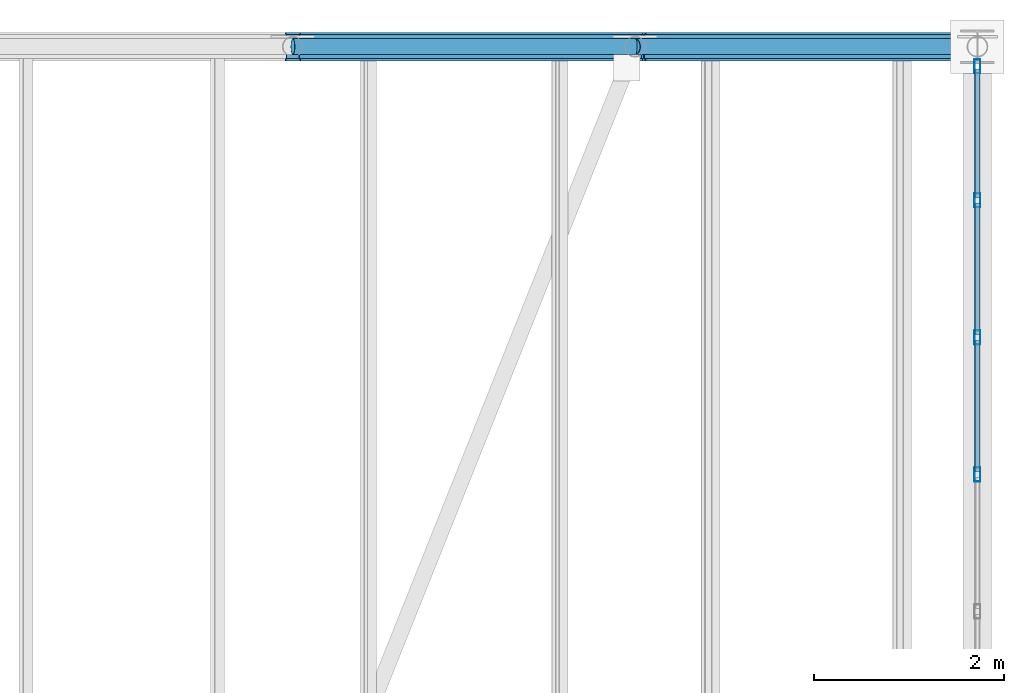
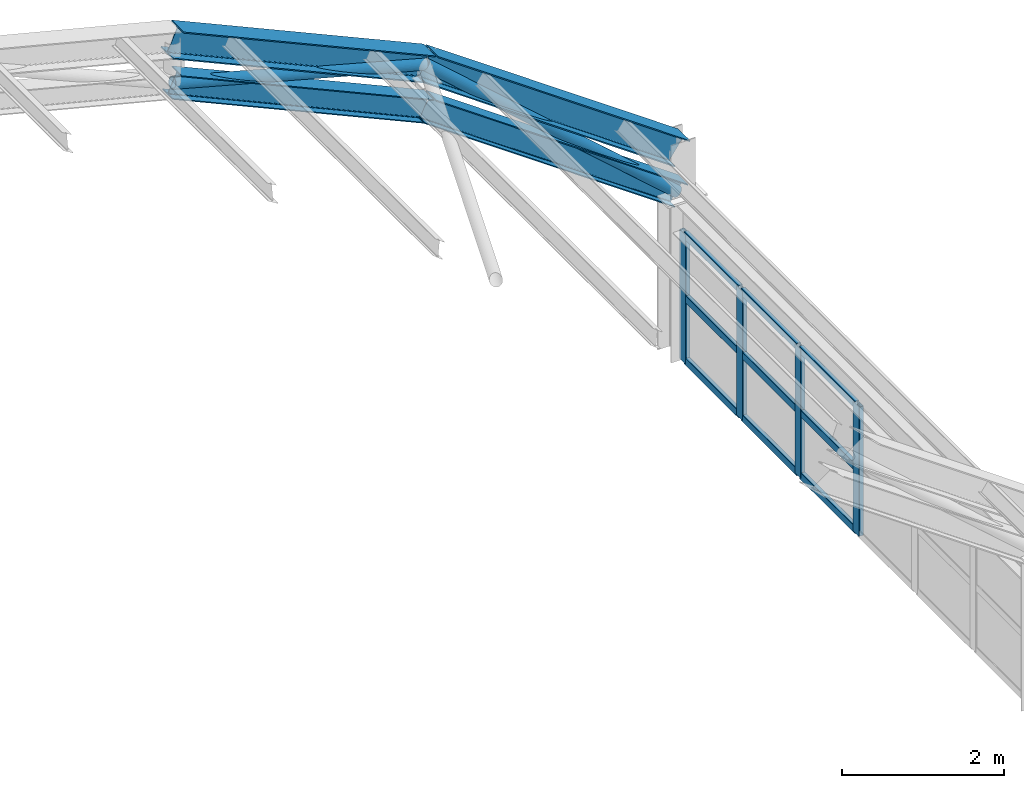
# One storey, part 83 of 121: 17 members, 2 beams, 1 element without a shape of its own.
"""IFC4 building model written with IfcOpenShell, lengths in metres."""

import ifcopenshell
import ifcopenshell.guid

model = None  # the IFC model being written
_history = None  # IfcOwnerHistory: only IFC2X3 demands one
_inside = {}  # id of a spatial element -> (the spatial element, [elements in it])
_under = {}  # id of a project, library or spatial element -> (it, [spatial elements below it])
_declared = {}  # id of a project -> (the project, [libraries it declares])
_typed = {}  # id of a type object -> (the type object, [elements of that type])
_made_of = {}  # id of a material, layer set ... -> (it, [elements and type objects made of it])


def new_model(schema):
    """Start an empty IFC model of exactly this schema.

    Asked for "IFC4X3", IfcOpenShell would pick the latest addendum, in which some entities
    have other attributes; the version numbers below select the first issue.
    IFC2X3 requires an IfcOwnerHistory on every rooted entity: one is made here for all.
    """
    global model, _history
    if schema == "IFC4X3":
        model = ifcopenshell.file(schema_version=(4, 3, 0, 0))
    else:
        model = ifcopenshell.file(schema=schema)
    _inside.clear()
    _under.clear()
    _declared.clear()
    _typed.clear()
    _made_of.clear()
    _history = None
    if model.schema == "IFC2X3":
        org = make("IfcOrganization", Name="unknown")
        user = make(
            "IfcPersonAndOrganization",
            ThePerson=make("IfcPerson", FamilyName="unknown"),
            TheOrganization=org,
        )
        app = make(
            "IfcApplication",
            ApplicationDeveloper=org,
            Version="unknown",
            ApplicationFullName="unknown",
            ApplicationIdentifier="unknown",
        )
        _history = make(
            "IfcOwnerHistory",
            OwningUser=user,
            OwningApplication=app,
            ChangeAction="ADDED",
            CreationDate=0,
        )
    return model


def make(cls, **values):
    """One entity of the class cls with the attributes given. An attribute that is None is left unset."""
    return model.create_entity(
        cls, **{name: value for name, value in values.items() if value is not None}
    )


def rooted(cls, **values):
    """An entity with a GlobalId (a new one), such as an element, a storey or a relation."""
    return make(cls, GlobalId=ifcopenshell.guid.new(), OwnerHistory=_history, **values)


def si_unit(unit_type, name, prefix=None):
    """IfcSIUnit, for example si_unit("LENGTHUNIT", "METRE", prefix="MILLI")."""
    return make("IfcSIUnit", UnitType=unit_type, Prefix=prefix, Name=name)


def assignment(units):
    """IfcUnitAssignment: the units of a project."""
    return None if units is None else make("IfcUnitAssignment", Units=units)


def point(xyz):
    """IfcCartesianPoint."""
    return None if xyz is None else make("IfcCartesianPoint", Coordinates=xyz)


def direction(xyz):
    """IfcDirection."""
    return None if xyz is None else make("IfcDirection", DirectionRatios=xyz)


def frame(location, z_axis=None, x_axis=None):
    """IfcAxis2Placement3D, a coordinate frame: its origin and axes. An axis left out is left unset."""
    return make(
        "IfcAxis2Placement3D",
        Location=point(location),
        Axis=direction(z_axis),
        RefDirection=direction(x_axis),
    )


def frame_2d(location, x_axis=None):
    """IfcAxis2Placement2D, a coordinate frame in the plane: its origin and x axis."""
    return make(
        "IfcAxis2Placement2D", Location=point(location), RefDirection=direction(x_axis)
    )


def origin():
    """The frame at (0, 0, 0) with its axes left unset."""
    return frame((0.0, 0.0, 0.0))


def origin_2d():
    """The frame at (0, 0) in the plane with its x axis left unset."""
    return frame_2d((0.0, 0.0))


def place(relative_to, where):
    """IfcLocalPlacement: puts the frame where relative to a parent placement (None: the world)."""
    return make(
        "IfcLocalPlacement", PlacementRelTo=relative_to, RelativePlacement=where
    )


def context(
    kind, dimensions, precision=None, world=None, true_north=None, identifier=None
):
    """IfcGeometricRepresentationContext, for example the 3D "Model" context."""
    return make(
        "IfcGeometricRepresentationContext",
        ContextIdentifier=identifier,
        ContextType=kind,
        CoordinateSpaceDimension=dimensions,
        Precision=precision,
        WorldCoordinateSystem=world,
        TrueNorth=true_north,
    )


def subcontext(parent, identifier, kind, view, scale=None):
    """IfcGeometricRepresentationSubContext, for example "Body" below "Model"."""
    return make(
        "IfcGeometricRepresentationSubContext",
        ContextIdentifier=identifier,
        ContextType=kind,
        ParentContext=parent,
        TargetScale=scale,
        TargetView=view,
    )


def project(units=None, contexts=None):
    """IfcProject with its units and contexts."""
    return rooted(
        "IfcProject",
        Name="project",
        RepresentationContexts=contexts,
        UnitsInContext=assignment(units),
    )


def spatial(cls, under=None, at=None, **own):
    """A site, building, storey or space (cls), placed at a placement, below another one or the project."""
    s = rooted(cls, ObjectPlacement=at, **own)
    if under is not None:
        _under.setdefault(under.id(), (under, []))[1].append(s)
    return s


def profile(cls, at=None, kind="AREA", **sizes):
    """A parametric profile (cls). Its sizes go by their IFC names, for example OverallWidth=200.0."""
    return make(cls, ProfileType=kind, Position=at, **sizes)


def hollow_rectangle(**sizes):
    """IfcRectangleHollowProfileDef."""
    return profile("IfcRectangleHollowProfileDef", **sizes)


def hollow_circle(**sizes):
    """IfcCircleHollowProfileDef."""
    return profile("IfcCircleHollowProfileDef", **sizes)


def i_section(**sizes):
    """IfcIShapeProfileDef."""
    return profile("IfcIShapeProfileDef", **sizes)


def extrude(swept, where, along, depth):
    """IfcExtrudedAreaSolid: the profile swept, set in the frame where, extruded along a direction by depth."""
    return make(
        "IfcExtrudedAreaSolid",
        SweptArea=swept,
        Position=where,
        ExtrudedDirection=direction(along),
        Depth=depth,
    )


def shape(context_of_items, identifier, shape_type, items):
    """IfcShapeRepresentation: the items that make up one representation, for example the "Body"."""
    return make(
        "IfcShapeRepresentation",
        ContextOfItems=context_of_items,
        RepresentationIdentifier=identifier,
        RepresentationType=shape_type,
        Items=items,
    )


def material(Name=None, Category=None):
    """IfcMaterial."""
    return make("IfcMaterial", Name=Name, Category=Category)


def material_profile(
    of_material, cross_section, Name=None, Category=None, Priority=None
):
    """IfcMaterialProfile: a cross section and its material."""
    return make(
        "IfcMaterialProfile",
        Name=Name,
        Material=of_material,
        Profile=cross_section,
        Priority=Priority,
        Category=Category,
    )


def profile_set(profiles, Name=None, composite=None):
    """IfcMaterialProfileSet."""
    return make(
        "IfcMaterialProfileSet",
        Name=Name,
        MaterialProfiles=profiles,
        CompositeProfile=composite,
    )


def made_of(thing, what):
    """Note that an element or type object is made of a material, layer set ...; save() writes the relation."""
    if what is not None:
        _made_of.setdefault(what.id(), (what, []))[1].append(thing)
    return thing


def type_object(cls, material=None, **own):
    """A type object (cls), such as IfcWallType, which elements share."""
    return made_of(rooted(cls, **own), material)


def element(
    cls,
    number,
    at=None,
    inside=None,
    cuts=None,
    type_object=None,
    material=None,
    context=None,
    identifier="Body",
    shape_type=None,
    held_by="IfcProductDefinitionShape",
    body=None,
    shapes=None,
    **own,
):
    """One element of the class cls, such as IfcWall. Its Tag is "e" and its number.

    at: its placement. inside: the storey or other place that contains it. cuts: it is an
    opening in that element (IfcRelVoidsElement). A single representation is given by context,
    identifier, shape_type and body (its items); several are given by shapes. held_by: the class
    of the entity that holds the representations. save() writes the other relations.
    """
    e = rooted(cls, Tag="e%d" % number, ObjectPlacement=at, **own)
    if body is not None:
        shapes = [shape(context, identifier, shape_type, body)]
    if shapes is not None:
        e.Representation = make(held_by, Representations=shapes)
    if inside is not None:
        _inside.setdefault(inside.id(), (inside, []))[1].append(e)
    if cuts is not None:
        rooted(
            "IfcRelVoidsElement", RelatingBuildingElement=cuts, RelatedOpeningElement=e
        )
    if type_object is not None:
        _typed.setdefault(type_object.id(), (type_object, []))[1].append(e)
    return made_of(e, material)


def aggregate(whole, parts):
    """IfcRelAggregates: a whole, such as a stair, and the parts it consists of."""
    return rooted("IfcRelAggregates", RelatingObject=whole, RelatedObjects=parts)


def save(model, path):
    """Write the relations noted so far, then the file.

    IfcRelAggregates (storeys below a building ...), IfcRelContainedInSpatialStructure (elements
    in a storey), IfcRelDefinesByType, IfcRelAssociatesMaterial and IfcRelDeclares: one each for
    every whole, place, type object, material and project.
    """
    for whole, parts in _under.values():
        aggregate(whole, parts)
    for where, things in _inside.values():
        rooted(
            "IfcRelContainedInSpatialStructure",
            RelatedElements=things,
            RelatingStructure=where,
        )
    for kind, things in _typed.values():
        rooted("IfcRelDefinesByType", RelatedObjects=things, RelatingType=kind)
    for what, things in _made_of.values():
        rooted("IfcRelAssociatesMaterial", RelatedObjects=things, RelatingMaterial=what)
    for by, libraries in _declared.values():
        rooted("IfcRelDeclares", RelatingContext=by, RelatedDefinitions=libraries)
    model.write(path)


model = new_model("IFC4")

# Units and contexts
model_context = context("Model", 3, precision=1e-05, world=origin(), true_north=direction((0.0, 1.0)))
body_context = subcontext(model_context, "Body", "Model", "MODEL_VIEW")
ifc_project = project(units=[si_unit("LENGTHUNIT", "METRE"), si_unit("AREAUNIT", "SQUARE_METRE"), si_unit("VOLUMEUNIT", "CUBIC_METRE"), si_unit("PLANEANGLEUNIT", "RADIAN"), si_unit("MASSUNIT", "GRAM", prefix="KILO")], contexts=[model_context])

# Site, building, storey
site_placement = place(None, origin())
site = spatial("IfcSite", under=ifc_project, at=site_placement, CompositionType="ELEMENT")
building_placement = place(site_placement, origin())
building = spatial("IfcBuilding", under=site, at=building_placement, Name="Canglan Escarpment Cableway Terminal", CompositionType="ELEMENT")
storey_placement = place(building_placement, frame((0.0, 0.0, 24.60009765625)))
storey = spatial("IfcBuildingStorey", under=building, at=storey_placement, Name="L05", CompositionType="ELEMENT", Elevation=24.60009765625)

# Beams
ifc_material_1 = material(Name="Steel Q355B", Category="steel")
ifc_material_profile_1 = material_profile(ifc_material_1, i_section(OverallWidth=0.300048828125, OverallDepth=0.389892578125, WebThickness=0.010009765625, FlangeThickness=0.01611328125, FilletRadius=0.02197265625, at=origin_2d()), Name="HM 390x300x10x16")
ifc_profile_set_1 = profile_set([ifc_material_profile_1], Name="Steel Q355B")
beam_type = type_object("IfcBeamType", Name="BM-ARCH-TOP-HM390", PredefinedType="BEAM", material=ifc_profile_set_1)
beam_1_placement = place(storey_placement, frame((159.199951171875, 124.0, 7.23828125), z_axis=(0.911752518833, 0.0, -0.410739996108), x_axis=(0.0, 1.0, 0.0)))
element("IfcBeam", 1, at=beam_1_placement, inside=storey, type_object=beam_type, Name="Vault ROOF TRUSS arch top chord AR-TC1", PredefinedType="BEAM", context=body_context, shape_type="SweptSolid", body=[
    extrude(i_section(OverallWidth=0.300048828125, OverallDepth=0.389892578125, WebThickness=0.010009765625, FlangeThickness=0.01611328125, FilletRadius=0.02197265625, at=origin_2d()), origin(), (0.0, 0.0, 1.0), 3.948486328125),
])
beam_2_placement = place(storey_placement, frame((162.800048828125, 124.0, 5.616455078125), z_axis=(0.817731009495, 0.0, -0.575600552563), x_axis=(0.0, 1.0, 0.0)))
element("IfcBeam", 2, at=beam_2_placement, inside=storey, type_object=beam_type, Name="Vault ROOF TRUSS arch top chord AR-TC1", PredefinedType="BEAM", context=body_context, shape_type="SweptSolid", body=[
    extrude(i_section(OverallWidth=0.300048828125, OverallDepth=0.389892578125, WebThickness=0.010009765625, FlangeThickness=0.01611328125, FilletRadius=0.02197265625, at=origin_2d()), origin(), (0.0, 0.0, 1.0), 4.40234375),
])

# Curtain wall, members
ifc_material_2 = material(Name="Anodized bronze aluminium and Low-E double glazing", Category="aluminium")
curtain_wall_type = type_object("IfcCurtainWallType", Name="CW-BAY-8650x1950", PredefinedType="NOTDEFINED", material=ifc_material_2)
curtain_wall_placement = place(storey_placement, origin())
curtain_wall = element("IfcCurtainWall", 3, at=curtain_wall_placement, inside=storey, type_object=curtain_wall_type, Name="Classical bay-between-piers glazed curtain wall CW-66", PredefinedType="NOTDEFINED")
ifc_material_3 = material(Name="Thermally broken anodized aluminium 6063-T6", Category="aluminium")
ifc_material_profile_2 = material_profile(ifc_material_3, hollow_rectangle(XDim=0.06494140625, YDim=0.14990234375, WallThickness=0.00341796875, InnerFilletRadius=0.00341796875, OuterFilletRadius=0.007080078125, at=origin_2d()), Name="ALU-MULL 65x150x3.5")
ifc_profile_set_2 = profile_set([ifc_material_profile_2], Name="Thermally broken anodized aluminium 6063-T6")
member_type_1 = type_object("IfcMemberType", Name="CWM-02", PredefinedType="MULLION", material=ifc_profile_set_2)
member_1_placement = place(storey_placement, frame((166.39990234375, 119.5, 0.0), z_axis=(0.0, 0.0, 1.0), x_axis=(-1.0, 0.0, 0.0)))
member_1 = element("IfcMember", 4, at=member_1_placement, type_object=member_type_1, Name="CW-66 mullion 4", PredefinedType="MULLION", context=body_context, shape_type="SweptSolid", body=[
    extrude(hollow_rectangle(XDim=0.06494140625, YDim=0.14990234375, WallThickness=0.00341796875, InnerFilletRadius=0.00341796875, OuterFilletRadius=0.007080078125, at=origin_2d()), origin(), (0.0, 0.0, 1.0), 1.949951171875),
])
member_2_placement = place(storey_placement, frame((166.39990234375, 120.941650390625, 0.0), z_axis=(0.0, 0.0, 1.0), x_axis=(-1.0, 0.0, 0.0)))
member_2 = element("IfcMember", 5, at=member_2_placement, type_object=member_type_1, Name="CW-66 mullion 5", PredefinedType="MULLION", context=body_context, shape_type="SweptSolid", body=[
    extrude(hollow_rectangle(XDim=0.06494140625, YDim=0.14990234375, WallThickness=0.00341796875, InnerFilletRadius=0.00341796875, OuterFilletRadius=0.007080078125, at=origin_2d()), origin(), (0.0, 0.0, 1.0), 1.949951171875),
])
member_3_placement = place(storey_placement, frame((166.39990234375, 122.38330078125, 0.0), z_axis=(0.0, 0.0, 1.0), x_axis=(-1.0, 0.0, 0.0)))
member_3 = element("IfcMember", 6, at=member_3_placement, type_object=member_type_1, Name="CW-66 mullion 6", PredefinedType="MULLION", context=body_context, shape_type="SweptSolid", body=[
    extrude(hollow_rectangle(XDim=0.06494140625, YDim=0.14990234375, WallThickness=0.00341796875, InnerFilletRadius=0.00341796875, OuterFilletRadius=0.007080078125, at=origin_2d()), origin(), (0.0, 0.0, 1.0), 1.949951171875),
])
member_4_placement = place(storey_placement, frame((166.39990234375, 123.79248046875, 0.0), z_axis=(0.0, 0.0, 1.0), x_axis=(-1.0, 0.0, 0.0)))
member_4 = element("IfcMember", 7, at=member_4_placement, type_object=member_type_1, Name="CW-66 mullion 7", PredefinedType="MULLION", context=body_context, shape_type="SweptSolid", body=[
    extrude(hollow_rectangle(XDim=0.06494140625, YDim=0.14990234375, WallThickness=0.00341796875, InnerFilletRadius=0.00341796875, OuterFilletRadius=0.007080078125, at=origin_2d()), origin(), (0.0, 0.0, 1.0), 1.949951171875),
])
ifc_material_profile_3 = material_profile(ifc_material_3, hollow_rectangle(XDim=0.06005859375, YDim=0.110107421875, WallThickness=0.0029296875, InnerFilletRadius=0.0029296875, OuterFilletRadius=0.006103515625, at=origin_2d()), Name="ALU-TRAN 60x110x3")
ifc_profile_set_3 = profile_set([ifc_material_profile_3], Name="Thermally broken anodized aluminium 6063-T6")
member_type_2 = type_object("IfcMemberType", Name="CWT-02", PredefinedType="USERDEFINED", material=ifc_profile_set_3)
member_5_placement = place(storey_placement, frame((166.39990234375, 119.532470703125, 0.02978515625), z_axis=(0.0, 1.0, 0.0), x_axis=(-1.0, 0.0, 0.0)))
member_5 = element("IfcMember", 8, at=member_5_placement, type_object=member_type_2, Name="CW-66 transom 4.1", ObjectType="TRANSOM", PredefinedType="USERDEFINED", context=body_context, shape_type="SweptSolid", body=[
    extrude(hollow_rectangle(XDim=0.06005859375, YDim=0.110107421875, WallThickness=0.0029296875, InnerFilletRadius=0.0029296875, OuterFilletRadius=0.006103515625, at=origin_2d()), origin(), (0.0, 0.0, 1.0), 1.376708984375),
])
member_6_placement = place(storey_placement, frame((166.39990234375, 119.532470703125, 0.974853515625), z_axis=(0.0, 1.0, 0.0), x_axis=(-1.0, 0.0, 0.0)))
member_6 = element("IfcMember", 9, at=member_6_placement, type_object=member_type_2, Name="CW-66 transom 4.2", ObjectType="TRANSOM", PredefinedType="USERDEFINED", context=body_context, shape_type="SweptSolid", body=[
    extrude(hollow_rectangle(XDim=0.06005859375, YDim=0.110107421875, WallThickness=0.0029296875, InnerFilletRadius=0.0029296875, OuterFilletRadius=0.006103515625, at=origin_2d()), origin(), (0.0, 0.0, 1.0), 1.376708984375),
])
member_7_placement = place(storey_placement, frame((166.39990234375, 119.532470703125, 1.919921875), z_axis=(0.0, 1.0, 0.0), x_axis=(-1.0, 0.0, 0.0)))
member_7 = element("IfcMember", 10, at=member_7_placement, type_object=member_type_2, Name="CW-66 transom 4.3", ObjectType="TRANSOM", PredefinedType="USERDEFINED", context=body_context, shape_type="SweptSolid", body=[
    extrude(hollow_rectangle(XDim=0.06005859375, YDim=0.110107421875, WallThickness=0.0029296875, InnerFilletRadius=0.0029296875, OuterFilletRadius=0.006103515625, at=origin_2d()), origin(), (0.0, 0.0, 1.0), 1.376708984375),
])
member_8_placement = place(storey_placement, frame((166.39990234375, 120.97412109375, 0.02978515625), z_axis=(0.0, 1.0, 0.0), x_axis=(-1.0, 0.0, 0.0)))
member_8 = element("IfcMember", 11, at=member_8_placement, type_object=member_type_2, Name="CW-66 transom 5.1", ObjectType="TRANSOM", PredefinedType="USERDEFINED", context=body_context, shape_type="SweptSolid", body=[
    extrude(hollow_rectangle(XDim=0.06005859375, YDim=0.110107421875, WallThickness=0.0029296875, InnerFilletRadius=0.0029296875, OuterFilletRadius=0.006103515625, at=origin_2d()), origin(), (0.0, 0.0, 1.0), 1.376708984375),
])
member_9_placement = place(storey_placement, frame((166.39990234375, 120.97412109375, 0.974853515625), z_axis=(0.0, 1.0, 0.0), x_axis=(-1.0, 0.0, 0.0)))
member_9 = element("IfcMember", 12, at=member_9_placement, type_object=member_type_2, Name="CW-66 transom 5.2", ObjectType="TRANSOM", PredefinedType="USERDEFINED", context=body_context, shape_type="SweptSolid", body=[
    extrude(hollow_rectangle(XDim=0.06005859375, YDim=0.110107421875, WallThickness=0.0029296875, InnerFilletRadius=0.0029296875, OuterFilletRadius=0.006103515625, at=origin_2d()), origin(), (0.0, 0.0, 1.0), 1.376708984375),
])
member_10_placement = place(storey_placement, frame((166.39990234375, 120.97412109375, 1.919921875), z_axis=(0.0, 1.0, 0.0), x_axis=(-1.0, 0.0, 0.0)))
member_10 = element("IfcMember", 13, at=member_10_placement, type_object=member_type_2, Name="CW-66 transom 5.3", ObjectType="TRANSOM", PredefinedType="USERDEFINED", context=body_context, shape_type="SweptSolid", body=[
    extrude(hollow_rectangle(XDim=0.06005859375, YDim=0.110107421875, WallThickness=0.0029296875, InnerFilletRadius=0.0029296875, OuterFilletRadius=0.006103515625, at=origin_2d()), origin(), (0.0, 0.0, 1.0), 1.376708984375),
])
member_11_placement = place(storey_placement, frame((166.39990234375, 122.415771484375, 0.02978515625), z_axis=(0.0, 1.0, 0.0), x_axis=(-1.0, 0.0, 0.0)))
member_11 = element("IfcMember", 14, at=member_11_placement, type_object=member_type_2, Name="CW-66 transom 6.1", ObjectType="TRANSOM", PredefinedType="USERDEFINED", context=body_context, shape_type="SweptSolid", body=[
    extrude(hollow_rectangle(XDim=0.06005859375, YDim=0.110107421875, WallThickness=0.0029296875, InnerFilletRadius=0.0029296875, OuterFilletRadius=0.006103515625, at=origin_2d()), origin(), (0.0, 0.0, 1.0), 1.34423828125),
])
member_12_placement = place(storey_placement, frame((166.39990234375, 122.415771484375, 0.974853515625), z_axis=(0.0, 1.0, 0.0), x_axis=(-1.0, 0.0, 0.0)))
member_12 = element("IfcMember", 15, at=member_12_placement, type_object=member_type_2, Name="CW-66 transom 6.2", ObjectType="TRANSOM", PredefinedType="USERDEFINED", context=body_context, shape_type="SweptSolid", body=[
    extrude(hollow_rectangle(XDim=0.06005859375, YDim=0.110107421875, WallThickness=0.0029296875, InnerFilletRadius=0.0029296875, OuterFilletRadius=0.006103515625, at=origin_2d()), origin(), (0.0, 0.0, 1.0), 1.34423828125),
])
member_13_placement = place(storey_placement, frame((166.39990234375, 122.415771484375, 1.919921875), z_axis=(0.0, 1.0, 0.0), x_axis=(-1.0, 0.0, 0.0)))
member_13 = element("IfcMember", 16, at=member_13_placement, type_object=member_type_2, Name="CW-66 transom 6.3", ObjectType="TRANSOM", PredefinedType="USERDEFINED", context=body_context, shape_type="SweptSolid", body=[
    extrude(hollow_rectangle(XDim=0.06005859375, YDim=0.110107421875, WallThickness=0.0029296875, InnerFilletRadius=0.0029296875, OuterFilletRadius=0.006103515625, at=origin_2d()), origin(), (0.0, 0.0, 1.0), 1.34423828125),
])
aggregate(curtain_wall, [member_1, member_2, member_3, member_4, member_5, member_6, member_7, member_8, member_9, member_10, member_11, member_12, member_13])

# Members
ifc_material_profile_4 = material_profile(ifc_material_1, i_section(OverallWidth=0.25, OverallDepth=0.340087890625, WebThickness=0.009033203125, FlangeThickness=0.013916015625, FilletRadius=0.02001953125, at=origin_2d()), Name="HM 340x250x9x14")
ifc_profile_set_4 = profile_set([ifc_material_profile_4], Name="Steel Q355B")
member_type_3 = type_object("IfcMemberType", Name="MB-ARCH-BOT-HM340", PredefinedType="CHORD", material=ifc_profile_set_4)
member_14_placement = place(storey_placement, frame((159.199951171875, 124.0, 6.58837890625), z_axis=(0.911752518833, 0.0, -0.410739996108), x_axis=(0.0, 1.0, 0.0)))
element("IfcMember", 17, at=member_14_placement, inside=storey, type_object=member_type_3, Name="Vault ROOF TRUSS arch bottom chord AR-BC1", PredefinedType="CHORD", context=body_context, shape_type="SweptSolid", body=[
    extrude(i_section(OverallWidth=0.25, OverallDepth=0.340087890625, WebThickness=0.009033203125, FlangeThickness=0.013916015625, FilletRadius=0.02001953125, at=origin_2d()), origin(), (0.0, 0.0, 1.0), 3.948486328125),
])
member_15_placement = place(storey_placement, frame((162.800048828125, 124.0, 4.966552734375), z_axis=(0.81770490607, 0.0, -0.575637634792), x_axis=(0.0, 1.0, 0.0)))
element("IfcMember", 18, at=member_15_placement, inside=storey, type_object=member_type_3, Name="Vault ROOF TRUSS arch bottom chord AR-BC1", PredefinedType="CHORD", context=body_context, shape_type="SweptSolid", body=[
    extrude(i_section(OverallWidth=0.25, OverallDepth=0.340087890625, WebThickness=0.009033203125, FlangeThickness=0.013916015625, FilletRadius=0.02001953125, at=origin_2d()), origin(), (0.0, 0.0, 1.0), 4.40234375),
])
ifc_material_profile_5 = material_profile(ifc_material_1, hollow_circle(Radius=0.084228515625, WallThickness=0.006103515625, at=origin_2d()), Name="CHS 168.3x6")
ifc_profile_set_5 = profile_set([ifc_material_profile_5], Name="Steel Q355B")
member_type_4 = type_object("IfcMemberType", Name="MB-ARCH-DIAG-CHS168", PredefinedType="BRACE", material=ifc_profile_set_5)
member_16_placement = place(storey_placement, frame((159.199951171875, 124.0, 6.58837890625), z_axis=(0.96543600217, 0.0, -0.260640222748), x_axis=(0.0, 1.0, 0.0)))
element("IfcMember", 19, at=member_16_placement, inside=storey, type_object=member_type_4, Name="Vault ROOF TRUSS web diagonal AR-DG1", PredefinedType="BRACE", context=body_context, shape_type="SweptSolid", body=[
    extrude(hollow_circle(Radius=0.084228515625, WallThickness=0.006103515625, at=origin_2d()), origin(), (0.0, 0.0, 1.0), 3.72900390625),
])
member_17_placement = place(storey_placement, frame((162.800048828125, 124.0, 5.616455078125), z_axis=(0.749038254518, 0.0, -0.662526749096), x_axis=(0.0, 1.0, 0.0)))
element("IfcMember", 20, at=member_17_placement, inside=storey, type_object=member_type_4, Name="Vault ROOF TRUSS web diagonal AR-DG1", PredefinedType="BRACE", context=body_context, shape_type="SweptSolid", body=[
    extrude(hollow_circle(Radius=0.084228515625, WallThickness=0.006103515625, at=origin_2d()), origin(), (0.0, 0.0, 1.0), 4.805908203125),
])

save(model, "model.ifc")
